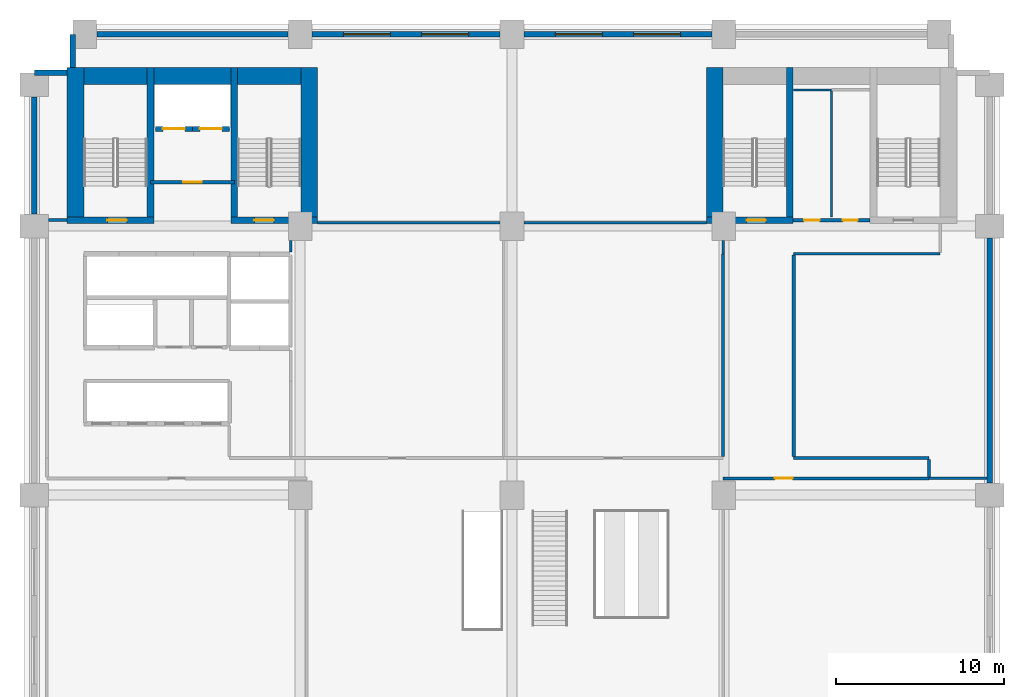
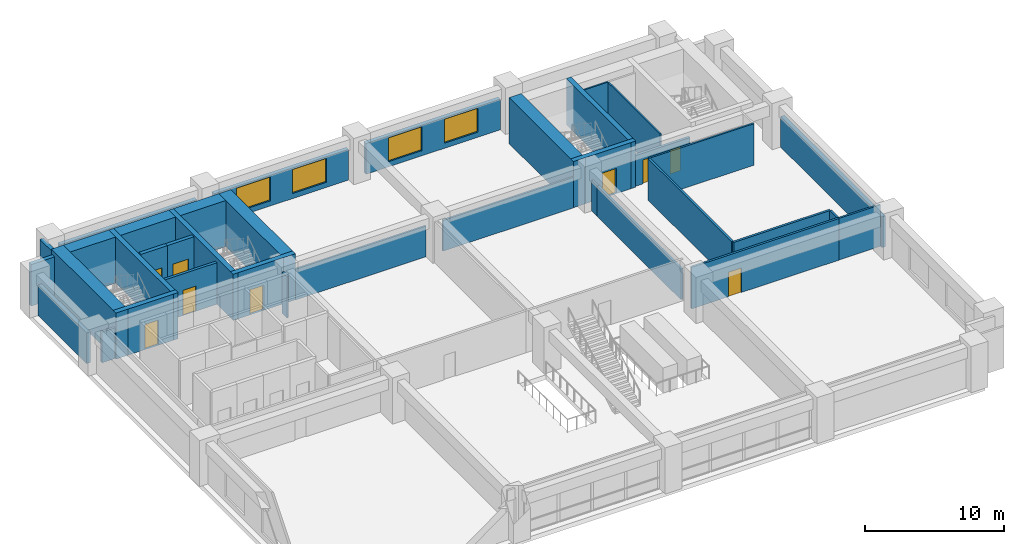
# One storey, part 6 of 11: 35 walls, 9 doors, 4 windows, 13 openings.
"""IFC4 building model written with IfcOpenShell, lengths in metres."""

from ifc_helpers import new_model, si_unit, direction, frame, frame_2d, origin, place, context, subcontext, project, spatial, rectangle, extrude, material, layer, layer_set, type_object, element, fill, save


model = new_model("IFC4")

# Units and contexts
model_context = context("Model", 3, precision=1e-05, world=origin(), true_north=direction((0.0, 1.0)))
body_context = subcontext(model_context, "Body", "Model", "MODEL_VIEW")
ifc_project = project(units=[si_unit("LENGTHUNIT", "METRE"), si_unit("AREAUNIT", "SQUARE_METRE"), si_unit("VOLUMEUNIT", "CUBIC_METRE"), si_unit("PLANEANGLEUNIT", "RADIAN"), si_unit("MASSUNIT", "GRAM", prefix="KILO")], contexts=[model_context])

# Site, building, storey
site_placement = place(None, origin())
site = spatial("IfcSite", under=ifc_project, at=site_placement, CompositionType="ELEMENT")
building_placement = place(site_placement, origin())
building = spatial("IfcBuilding", under=site, at=building_placement, Name="Sulina Concourse Tower", CompositionType="ELEMENT")
storey_placement = place(building_placement, frame((0.0, 0.0, 9.449951171875)))
storey = spatial("IfcBuildingStorey", under=building, at=storey_placement, Name="L02", CompositionType="ELEMENT", Elevation=9.449951171875)

# Wall, opening, door
ifc_material_1 = material(Name="Concrete C50/60", Category="concrete")
ifc_layer_1 = layer(ifc_material_1, 0.300048828125)
ifc_layer_set_1 = layer_set([ifc_layer_1], Name="Concrete C50/60")
wall_type_1 = type_object("IfcWallType", Name="Core Lift Hoistway Wall 300mm", PredefinedType="SOLIDWALL", material=ifc_layer_set_1)
wall_1_placement = place(storey_placement, frame((10.0, 39.780029296875, 0.0), z_axis=(0.0, 0.0, 1.0), x_axis=(-1.0, 0.0, 0.0)))
wall_1 = element("IfcWall", 1, at=wall_1_placement, inside=storey, type_object=wall_type_1, Name="L02 hoistway enclosure wall FFL-1", PredefinedType="SOLIDWALL", context=body_context, shape_type="SweptSolid", body=[
    extrude(rectangle(XDim=2.199951171875, YDim=0.300048828125, at=frame_2d((1.10009765625, 0.0))), origin(), (0.0, 0.0, 1.0), 4.050048828125),
])
opening_1_placement = place(wall_1_placement, frame((0.449951171875, 0.0, 0.0)))
opening_1 = element("IfcOpeningElement", 2, at=opening_1_placement, cuts=wall_1, Name="Opening LD-02", PredefinedType="OPENING", context=body_context, shape_type="SweptSolid", body=[
    extrude(rectangle(XDim=1.300048828125, YDim=2.25, at=frame_2d((0.64990234375, 1.125))), frame((0.0, 0.159912109375, 0.0), z_axis=(0.0, -1.0, 0.0), x_axis=(1.0, 0.0, 0.0)), (0.0, 0.0, 1.0), 0.320068359375),
])
ifc_material_2 = material(Name="Stainless steel lift landing door", Category="steel")
ifc_layer_2 = layer(ifc_material_2, 0.050048828125)
ifc_layer_set_2 = layer_set([ifc_layer_2], Name="Stainless steel lift landing door")
door_type_1 = type_object("IfcDoorType", Name="Firefighting Lift Sliding Landing Door 1300x2250", OperationType="SLIDING_TO_RIGHT", PredefinedType="DOOR", material=ifc_layer_set_2)
door_1_placement = place(opening_1_placement, origin())
door_1 = element("IfcDoor", 3, at=door_1_placement, inside=storey, type_object=door_type_1, Name="L02 lift landing sliding door FFL-1", OperationType="SLIDING_TO_LEFT", OverallHeight=2.25, OverallWidth=1.300048828125, PredefinedType="DOOR", context=body_context, shape_type="SweptSolid", body=[
    extrude(rectangle(XDim=1.300048828125, YDim=2.25, at=frame_2d((0.64990234375, 1.125))), frame((0.0, 0.02490234375, 0.0), z_axis=(0.0, -1.0, 0.0), x_axis=(1.0, 0.0, 0.0)), (0.0, 0.0, 1.0), 0.050048828125),
])
fill(opening_1, door_1)

wall_2_placement = place(storey_placement, frame((12.199951171875, 39.780029296875, 0.0), z_axis=(0.0, 0.0, 1.0), x_axis=(-1.0, 0.0, 0.0)))
wall_2 = element("IfcWall", 4, at=wall_2_placement, inside=storey, type_object=wall_type_1, Name="L02 hoistway enclosure wall FFL-2", PredefinedType="SOLIDWALL", context=body_context, shape_type="SweptSolid", body=[
    extrude(rectangle(XDim=2.199951171875, YDim=0.300048828125, at=frame_2d((1.10009765625, 0.0))), origin(), (0.0, 0.0, 1.0), 4.050048828125),
])
opening_2_placement = place(wall_2_placement, frame((0.449951171875, 0.0, 0.0)))
opening_2 = element("IfcOpeningElement", 5, at=opening_2_placement, cuts=wall_2, Name="Opening LD-02", PredefinedType="OPENING", context=body_context, shape_type="SweptSolid", body=[
    extrude(rectangle(XDim=1.300048828125, YDim=2.25, at=frame_2d((0.64990234375, 1.125))), frame((0.0, 0.159912109375, 0.0), z_axis=(0.0, -1.0, 0.0), x_axis=(1.0, 0.0, 0.0)), (0.0, 0.0, 1.0), 0.320068359375),
])
door_2_placement = place(opening_2_placement, origin())
door_2 = element("IfcDoor", 6, at=door_2_placement, inside=storey, type_object=door_type_1, Name="L02 lift landing sliding door FFL-2", OperationType="SLIDING_TO_RIGHT", OverallHeight=2.25, OverallWidth=1.300048828125, PredefinedType="DOOR", context=body_context, shape_type="SweptSolid", body=[
    extrude(rectangle(XDim=1.300048828125, YDim=2.25, at=frame_2d((0.64990234375, 1.125))), frame((0.0, 0.02490234375, 0.0), z_axis=(0.0, -1.0, 0.0), x_axis=(1.0, 0.0, 0.0)), (0.0, 0.0, 1.0), 0.050048828125),
])
fill(opening_2, door_2)

ifc_material_3 = material(Name="Gypsum board on steel stud", Category="steel")
ifc_layer_3 = layer(ifc_material_3, 0.219970703125)
ifc_layer_set_3 = layer_set([ifc_layer_3], Name="Gypsum board on steel stud")
wall_type_2 = type_object("IfcWallType", Name="Fire-Rated Lobby & Compartment Wall 220mm", PredefinedType="PARTITIONING", material=ifc_layer_set_3)
wall_3_placement = place(storey_placement, frame((7.510009765625, 36.60009765625, 0.0), z_axis=(0.0, 0.0, 1.0), x_axis=(1.0, 0.0, 0.0)))
wall_3 = element("IfcWall", 7, at=wall_3_placement, inside=storey, type_object=wall_type_2, Name="L02 firefighting lobby south fire wall", PredefinedType="PARTITIONING", context=body_context, shape_type="SweptSolid", body=[
    extrude(rectangle(XDim=4.97998046875, YDim=0.219970703125, at=frame_2d((2.489990234375, 0.0))), origin(), (0.0, 0.0, 1.0), 3.650146484375),
])
opening_3_placement = place(wall_3_placement, frame((1.93994140625, 0.0, 0.0)))
opening_3 = element("IfcOpeningElement", 8, at=opening_3_placement, cuts=wall_3, Name="Opening DR-47", PredefinedType="OPENING", context=body_context, shape_type="SweptSolid", body=[
    extrude(rectangle(XDim=1.10009765625, YDim=2.199951171875, at=frame_2d((0.550048828125, 1.10009765625))), frame((0.0, 0.119873046875, 0.0), z_axis=(0.0, -1.0, 0.0), x_axis=(1.0, 0.0, 0.0)), (0.0, 0.0, 1.0), 0.239990234375),
])
ifc_material_4 = material(Name="Galvanised steel acoustic fire leaf", Category="steel")
ifc_layer_4 = layer(ifc_material_4, 0.054931640625)
ifc_layer_set_4 = layer_set([ifc_layer_4], Name="Galvanised steel acoustic fire leaf")
door_type_2 = type_object("IfcDoorType", Name="Firefighting Lobby Fire Door 1100x2200", OperationType="NOTDEFINED", PredefinedType="DOOR", material=ifc_layer_set_4)
door_3_placement = place(opening_3_placement, origin())
door_3 = element("IfcDoor", 9, at=door_3_placement, inside=storey, type_object=door_type_2, Name="L02 firefighting lobby fire door", OperationType="SINGLE_SWING_LEFT", OverallHeight=2.199951171875, OverallWidth=1.10009765625, PredefinedType="DOOR", context=body_context, shape_type="SweptSolid", body=[
    extrude(rectangle(XDim=1.10009765625, YDim=2.199951171875, at=frame_2d((0.550048828125, 1.10009765625))), frame((0.0, 0.02490234375, 0.0), z_axis=(0.0, -1.0, 0.0), x_axis=(1.0, 0.0, 0.0)), (0.0, 0.0, 1.0), 0.050048828125),
])
fill(opening_3, door_3)

# Wall, openings, doors
wall_4_placement = place(storey_placement, frame((45.719970703125, 34.35009765625, 0.0), z_axis=(0.0, 0.0, 1.0), x_axis=(1.0, 0.0, 0.0)))
wall_4 = element("IfcWall", 10, at=wall_4_placement, inside=storey, type_object=wall_type_2, Name="L02 east core south lobby wall", PredefinedType="PARTITIONING", context=body_context, shape_type="SweptSolid", body=[
    extrude(rectangle(XDim=4.56005859375, YDim=0.219970703125, at=frame_2d((2.280029296875, 0.0))), origin(), (0.0, 0.0, 1.0), 2.695068359375),
])
opening_4_placement = place(wall_4_placement, frame((0.64990234375, 0.0, 0.0)))
opening_4 = element("IfcOpeningElement", 11, at=opening_4_placement, cuts=wall_4, Name="Opening DR-61", PredefinedType="OPENING", context=body_context, shape_type="SweptSolid", body=[
    extrude(rectangle(XDim=0.919921875, YDim=2.10009765625, at=frame_2d((0.4599609375, 1.050048828125))), frame((0.0, 0.119873046875, 0.0), z_axis=(0.0, -1.0, 0.0), x_axis=(1.0, 0.0, 0.0)), (0.0, 0.0, 1.0), 0.239990234375),
])
opening_5_placement = place(wall_4_placement, frame((2.949951171875, 0.0, 0.0)))
opening_5 = element("IfcOpeningElement", 12, at=opening_5_placement, cuts=wall_4, Name="Opening DR-38", PredefinedType="OPENING", context=body_context, shape_type="SweptSolid", body=[
    extrude(rectangle(XDim=0.8798828125, YDim=2.10009765625, at=frame_2d((0.43994140625, 1.050048828125))), frame((0.0, 0.119873046875, 0.0), z_axis=(0.0, -1.0, 0.0), x_axis=(1.0, 0.0, 0.0)), (0.0, 0.0, 1.0), 0.239990234375),
])
ifc_material_5 = material(Name="Oak-veneered fire door leaf")
ifc_layer_5 = layer(ifc_material_5, 0.050048828125)
ifc_layer_set_5 = layer_set([ifc_layer_5], Name="Oak-veneered fire door leaf")
door_type_3 = type_object("IfcDoorType", Name="Accessible WC Door 920x2100", OperationType="NOTDEFINED", PredefinedType="DOOR", material=ifc_layer_set_5)
door_4_placement = place(opening_4_placement, origin())
door_4 = element("IfcDoor", 13, at=door_4_placement, inside=storey, type_object=door_type_3, Name="L02 east core accessible wc door", OperationType="SINGLE_SWING_LEFT", OverallHeight=2.10009765625, OverallWidth=0.919921875, PredefinedType="DOOR", context=body_context, shape_type="SweptSolid", body=[
    extrude(rectangle(XDim=0.919921875, YDim=2.10009765625, at=frame_2d((0.4599609375, 1.050048828125))), frame((0.0, 0.02490234375, 0.0), z_axis=(0.0, -1.0, 0.0), x_axis=(1.0, 0.0, 0.0)), (0.0, 0.0, 1.0), 0.050048828125),
])
fill(opening_4, door_4)
ifc_material_6 = material(Name="Galvanised steel acoustic fire leaf", Category="steel")
ifc_layer_6 = layer(ifc_material_6, 0.050048828125)
ifc_layer_set_6 = layer_set([ifc_layer_6], Name="Galvanised steel acoustic fire leaf")
door_type_4 = type_object("IfcDoorType", Name="Service Riser Fire Door 880x2100", OperationType="NOTDEFINED", PredefinedType="DOOR", material=ifc_layer_set_6)
door_5_placement = place(opening_5_placement, origin())
door_5 = element("IfcDoor", 14, at=door_5_placement, inside=storey, type_object=door_type_4, Name="L02 east core store door", OperationType="SINGLE_SWING_RIGHT", OverallHeight=2.10009765625, OverallWidth=0.8798828125, PredefinedType="DOOR", context=body_context, shape_type="SweptSolid", body=[
    extrude(rectangle(XDim=0.8798828125, YDim=2.10009765625, at=frame_2d((0.43994140625, 1.050048828125))), frame((0.0, 0.02490234375, 0.0), z_axis=(0.0, -1.0, 0.0), x_axis=(1.0, 0.0, 0.0)), (0.0, 0.0, 1.0), 0.050048828125),
])
fill(opening_5, door_5)

# Walls
ifc_material_7 = material(Name="Gypsum board on steel stud", Category="steel")
ifc_layer_7 = layer(ifc_material_7, 0.14990234375)
ifc_layer_set_7 = layer_set([ifc_layer_7], Name="Gypsum board on steel stud")
wall_type_3 = type_object("IfcWallType", Name="Inter-Tenancy Acoustic Partition 150mm", PredefinedType="PARTITIONING", material=ifc_layer_set_7)
wall_5_placement = place(storey_placement, frame((53.800048828125, 19.0, 0.0), z_axis=(0.0, 0.0, 1.0), x_axis=(1.0, 0.0, 0.0)))
element("IfcWall", 15, at=wall_5_placement, inside=storey, type_object=wall_type_3, Name="L02 interior partition 007", PredefinedType="PARTITIONING", context=body_context, shape_type="SweptSolid", body=[
    extrude(rectangle(XDim=3.43994140625, YDim=0.14990234375, at=frame_2d((1.719970703125, 0.0))), origin(), (0.0, 0.0, 1.0), 3.650146484375),
])
wall_6_placement = place(storey_placement, frame((45.75, 32.35009765625, 0.0), z_axis=(0.0, 0.0, 1.0), x_axis=(1.0, 0.0, 0.0)))
element("IfcWall", 16, at=wall_6_placement, inside=storey, type_object=wall_type_3, Name="L02 interior partition 014", PredefinedType="PARTITIONING", context=body_context, shape_type="SweptSolid", body=[
    extrude(rectangle(XDim=8.699951171875, YDim=0.14990234375, at=frame_2d((4.35009765625, 0.0))), origin(), (0.0, 0.0, 1.0), 3.650146484375),
])
for number, where, z_axis, x_axis, name in (
    (17, (17.449951171875, 34.199951171875, 0.0), (0.0, 0.0, 1.0), (1.0, 0.0, 0.0), "L02 interior partition 015"),
    (18, (29.699951171875, 34.199951171875, 0.0), (0.0, 0.0, 1.0), (1.0, 0.0, 0.0), "L02 interior partition 016"),
):
    element("IfcWall", number, at=place(storey_placement, frame(where, z_axis=z_axis, x_axis=x_axis)), inside=storey, type_object=wall_type_3, Name=name, PredefinedType="PARTITIONING", context=body_context, shape_type="SweptSolid", body=[
        extrude(rectangle(XDim=10.85009765625, YDim=0.14990234375, at=frame_2d((5.425048828125, 0.0))), origin(), (0.0, 0.0, 1.0), 2.695068359375),
    ])
wall_7_placement = place(storey_placement, frame((15.85009765625, 32.469970703125, 0.0), z_axis=(0.0, 0.0, 1.0), x_axis=(0.0, 1.0, 0.0)))
element("IfcWall", 19, at=wall_7_placement, inside=storey, type_object=wall_type_3, Name="L02 interior partition 028", PredefinedType="PARTITIONING", context=body_context, shape_type="SweptSolid", body=[
    extrude(rectangle(XDim=0.679931640625, YDim=0.14990234375, at=frame_2d((0.33984375, 0.0))), origin(), (0.0, 0.0, 1.0), 3.650146484375),
])
wall_8_placement = place(storey_placement, frame((41.550048828125, 32.35009765625, 0.0), z_axis=(0.0, 0.0, 1.0), x_axis=(0.0, 1.0, 0.0)))
element("IfcWall", 20, at=wall_8_placement, inside=storey, type_object=wall_type_3, Name="L02 interior partition 033", PredefinedType="PARTITIONING", context=body_context, shape_type="SweptSolid", body=[
    extrude(rectangle(XDim=0.7998046875, YDim=0.14990234375, at=frame_2d((0.39990234375, 0.0))), origin(), (0.0, 0.0, 1.0), 2.695068359375),
])
ifc_material_8 = material(Name="Precast concrete C50/60", Category="concrete")
ifc_layer_8 = layer(ifc_material_8, 0.320068359375)
ifc_layer_set_8 = layer_set([ifc_layer_8], Name="Precast concrete C50/60")
wall_type_4 = type_object("IfcWallType", Name="Lower Precast Masonry-Frame Facade Wall 320mm", PredefinedType="SOLIDWALL", material=ifc_layer_set_8)
wall_9_placement = place(storey_placement, frame((0.60009765625, 34.719970703125, 0.0), z_axis=(0.0, 0.0, 1.0), x_axis=(0.0, 1.0, 0.0)))
element("IfcWall", 21, at=wall_9_placement, inside=storey, type_object=wall_type_4, Name="L02 exterior precast wall W3", PredefinedType="SOLIDWALL", context=body_context, shape_type="SweptSolid", body=[
    extrude(rectangle(XDim=6.9599609375, YDim=0.320068359375, at=frame_2d((3.47998046875, 0.0))), origin(), (0.0, 0.0, 1.0), 2.699951171875),
])
wall_10_placement = place(storey_placement, frame((4.320068359375, 45.39990234375, 0.0), z_axis=(0.0, 0.0, 1.0), x_axis=(1.0, 0.0, 0.0)))
element("IfcWall", 22, at=wall_10_placement, inside=storey, type_object=wall_type_4, Name="L02 exterior precast wall N1", PredefinedType="SOLIDWALL", context=body_context, shape_type="SweptSolid", body=[
    extrude(rectangle(XDim=11.35986328125, YDim=0.320068359375, at=frame_2d((5.679931640625, 0.0))), origin(), (0.0, 0.0, 1.0), 2.699951171875),
])

# Wall, openings, windows
wall_11_placement = place(storey_placement, frame((17.1201171875, 45.39990234375, 0.0), z_axis=(0.0, 0.0, 1.0), x_axis=(1.0, 0.0, 0.0)))
wall_11 = element("IfcWall", 23, at=wall_11_placement, inside=storey, type_object=wall_type_4, Name="L02 exterior precast wall N2", PredefinedType="SOLIDWALL", context=body_context, shape_type="SweptSolid", body=[
    extrude(rectangle(XDim=11.159912109375, YDim=0.320068359375, at=frame_2d((5.580078125, 0.0))), origin(), (0.0, 0.0, 1.0), 2.699951171875),
])
opening_6_placement = place(wall_11_placement, frame((1.853271484375, 0.0, 0.449951171875)))
opening_6 = element("IfcOpeningElement", 24, at=opening_6_placement, cuts=wall_11, Name="Opening WN-83", PredefinedType="OPENING", context=body_context, shape_type="SweptSolid", body=[
    extrude(rectangle(XDim=2.800048828125, YDim=2.10009765625, at=frame_2d((1.39990234375, 1.050048828125))), frame((0.0, 0.169921875, 0.0), z_axis=(0.0, -1.0, 0.0), x_axis=(1.0, 0.0, 0.0)), (0.0, 0.0, 1.0), 0.340087890625),
])
opening_7_placement = place(wall_11_placement, frame((6.506591796875, 0.0, 0.449951171875)))
opening_7 = element("IfcOpeningElement", 25, at=opening_7_placement, cuts=wall_11, Name="Opening WN-83", PredefinedType="OPENING", context=body_context, shape_type="SweptSolid", body=[
    extrude(rectangle(XDim=2.800048828125, YDim=2.10009765625, at=frame_2d((1.39990234375, 1.050048828125))), frame((0.0, 0.169921875, 0.0), z_axis=(0.0, -1.0, 0.0), x_axis=(1.0, 0.0, 0.0)), (0.0, 0.0, 1.0), 0.340087890625),
])
ifc_material_9 = material(Name="Low-E solar double glazing in bronze aluminium", Category="aluminium")
window_type = type_object("IfcWindowType", Name="Station Podium Clerestory Window 2800x2100", PartitioningType="TRIPLE_PANEL_VERTICAL", PredefinedType="WINDOW", material=ifc_material_9)
window_1_placement = place(opening_6_placement, origin())
window_1 = element("IfcWindow", 26, at=window_1_placement, inside=storey, type_object=window_type, Name="L02 punched window N2-1", OverallHeight=2.10009765625, OverallWidth=2.800048828125, PartitioningType="SINGLE_PANEL", PredefinedType="WINDOW", context=body_context, shape_type="SweptSolid", body=[
    extrude(rectangle(XDim=2.800048828125, YDim=2.10009765625, at=frame_2d((1.39990234375, 1.050048828125))), frame((0.0, 0.030029296875, 0.0), z_axis=(0.0, -1.0, 0.0), x_axis=(1.0, 0.0, 0.0)), (0.0, 0.0, 1.0), 0.06005859375),
])
fill(opening_6, window_1)
window_2_placement = place(opening_7_placement, origin())
window_2 = element("IfcWindow", 27, at=window_2_placement, inside=storey, type_object=window_type, Name="L02 punched window N2-2", OverallHeight=2.10009765625, OverallWidth=2.800048828125, PartitioningType="SINGLE_PANEL", PredefinedType="WINDOW", context=body_context, shape_type="SweptSolid", body=[
    extrude(rectangle(XDim=2.800048828125, YDim=2.10009765625, at=frame_2d((1.39990234375, 1.050048828125))), frame((0.0, 0.030029296875, 0.0), z_axis=(0.0, -1.0, 0.0), x_axis=(1.0, 0.0, 0.0)), (0.0, 0.0, 1.0), 0.06005859375),
])
fill(opening_7, window_2)

wall_12_placement = place(storey_placement, frame((29.719970703125, 45.39990234375, 0.0), z_axis=(0.0, 0.0, 1.0), x_axis=(1.0, 0.0, 0.0)))
wall_12 = element("IfcWall", 28, at=wall_12_placement, inside=storey, type_object=wall_type_4, Name="L02 exterior precast wall N3", PredefinedType="SOLIDWALL", context=body_context, shape_type="SweptSolid", body=[
    extrude(rectangle(XDim=11.159912109375, YDim=0.320068359375, at=frame_2d((5.580078125, 0.0))), origin(), (0.0, 0.0, 1.0), 2.699951171875),
])
opening_8_placement = place(wall_12_placement, frame((1.853271484375, 0.0, 0.449951171875)))
opening_8 = element("IfcOpeningElement", 29, at=opening_8_placement, cuts=wall_12, Name="Opening WN-83", PredefinedType="OPENING", context=body_context, shape_type="SweptSolid", body=[
    extrude(rectangle(XDim=2.800048828125, YDim=2.10009765625, at=frame_2d((1.39990234375, 1.050048828125))), frame((0.0, 0.169921875, 0.0), z_axis=(0.0, -1.0, 0.0), x_axis=(1.0, 0.0, 0.0)), (0.0, 0.0, 1.0), 0.340087890625),
])
opening_9_placement = place(wall_12_placement, frame((6.506591796875, 0.0, 0.449951171875)))
opening_9 = element("IfcOpeningElement", 30, at=opening_9_placement, cuts=wall_12, Name="Opening WN-83", PredefinedType="OPENING", context=body_context, shape_type="SweptSolid", body=[
    extrude(rectangle(XDim=2.800048828125, YDim=2.10009765625, at=frame_2d((1.39990234375, 1.050048828125))), frame((0.0, 0.169921875, 0.0), z_axis=(0.0, -1.0, 0.0), x_axis=(1.0, 0.0, 0.0)), (0.0, 0.0, 1.0), 0.340087890625),
])
window_3_placement = place(opening_8_placement, origin())
window_3 = element("IfcWindow", 31, at=window_3_placement, inside=storey, type_object=window_type, Name="L02 punched window N3-1", OverallHeight=2.10009765625, OverallWidth=2.800048828125, PartitioningType="SINGLE_PANEL", PredefinedType="WINDOW", context=body_context, shape_type="SweptSolid", body=[
    extrude(rectangle(XDim=2.800048828125, YDim=2.10009765625, at=frame_2d((1.39990234375, 1.050048828125))), frame((0.0, 0.030029296875, 0.0), z_axis=(0.0, -1.0, 0.0), x_axis=(1.0, 0.0, 0.0)), (0.0, 0.0, 1.0), 0.06005859375),
])
fill(opening_8, window_3)
window_4_placement = place(opening_9_placement, origin())
window_4 = element("IfcWindow", 32, at=window_4_placement, inside=storey, type_object=window_type, Name="L02 punched window N3-2", OverallHeight=2.10009765625, OverallWidth=2.800048828125, PartitioningType="SINGLE_PANEL", PredefinedType="WINDOW", context=body_context, shape_type="SweptSolid", body=[
    extrude(rectangle(XDim=2.800048828125, YDim=2.10009765625, at=frame_2d((1.39990234375, 1.050048828125))), frame((0.0, 0.030029296875, 0.0), z_axis=(0.0, -1.0, 0.0), x_axis=(1.0, 0.0, 0.0)), (0.0, 0.0, 1.0), 0.06005859375),
])
fill(opening_9, window_4)

# Walls
wall_13_placement = place(storey_placement, frame((57.39990234375, 33.280029296875, 0.0), z_axis=(0.0, 0.0, 1.0), x_axis=(0.0, -1.0, 0.0)))
element("IfcWall", 33, at=wall_13_placement, inside=storey, type_object=wall_type_4, Name="L02 exterior precast wall E2", PredefinedType="SOLIDWALL", context=body_context, shape_type="SweptSolid", body=[
    extrude(rectangle(XDim=14.56005859375, YDim=0.320068359375, at=frame_2d((7.280029296875, 0.0))), origin(), (0.0, 0.0, 1.0), 2.699951171875),
])
wall_14_placement = place(storey_placement, frame((0.60009765625, 43.1201171875, 0.0), z_axis=(0.0, 0.0, 1.0), x_axis=(1.0, 0.0, 0.0)))
element("IfcWall", 34, at=wall_14_placement, inside=storey, type_object=wall_type_4, Name="L02 exterior precast wall CNW1", PredefinedType="SOLIDWALL", context=body_context, shape_type="SweptSolid", body=[
    extrude(rectangle(XDim=1.94482421875, YDim=0.320068359375, at=frame_2d((0.972412109375, 0.0))), origin(), (0.0, 0.0, 1.0), 3.650146484375),
])
wall_15_placement = place(storey_placement, frame((2.8798828125, 43.43505859375, 0.0), z_axis=(0.0, 0.0, 1.0), x_axis=(0.0, 1.0, 0.0)))
element("IfcWall", 35, at=wall_15_placement, inside=storey, type_object=wall_type_4, Name="L02 exterior precast wall CNW2", PredefinedType="SOLIDWALL", context=body_context, shape_type="SweptSolid", body=[
    extrude(rectangle(XDim=1.96484375, YDim=0.320068359375, at=frame_2d((0.982421875, 0.0))), origin(), (0.0, 0.0, 1.0), 3.650146484375),
])

# Wall, opening, door
ifc_material_10 = material(Name="Gypsum board on steel stud", Category="steel")
ifc_layer_9 = layer(ifc_material_10, 0.179931640625)
ifc_layer_set_9 = layer_set([ifc_layer_9], Name="Gypsum board on steel stud")
wall_type_5 = type_object("IfcWallType", Name="Protected Corridor & Riser Partition 180mm", PredefinedType="PARTITIONING", material=ifc_layer_set_9)
wall_16_placement = place(storey_placement, frame((41.550048828125, 19.0, 0.0), z_axis=(0.0, 0.0, 1.0), x_axis=(1.0, 0.0, 0.0)))
wall_16 = element("IfcWall", 36, at=wall_16_placement, inside=storey, type_object=wall_type_5, Name="L02 interior partition 006", PredefinedType="PARTITIONING", context=body_context, shape_type="SweptSolid", body=[
    extrude(rectangle(XDim=12.25, YDim=0.179931640625, at=frame_2d((6.125, 0.0))), origin(), (0.0, 0.0, 1.0), 3.650146484375),
])
opening_10_placement = place(wall_16_placement, frame((3.080078125, 0.0, 0.0)))
opening_10 = element("IfcOpeningElement", 37, at=opening_10_placement, cuts=wall_16, Name="Opening DR-37", PredefinedType="OPENING", context=body_context, shape_type="SweptSolid", body=[
    extrude(rectangle(XDim=1.050048828125, YDim=2.14990234375, at=frame_2d((0.52490234375, 1.074951171875))), frame((0.0, 0.099853515625, 0.0), z_axis=(0.0, -1.0, 0.0), x_axis=(1.0, 0.0, 0.0)), (0.0, 0.0, 1.0), 0.199951171875),
])
ifc_material_11 = material(Name="Oak-veneered fire door leaf")
ifc_layer_10 = layer(ifc_material_11, 0.050048828125)
ifc_layer_set_10 = layer_set([ifc_layer_10], Name="Oak-veneered fire door leaf")
door_type_5 = type_object("IfcDoorType", Name="Tenant Suite Entrance Fire Door 1050x2150", OperationType="NOTDEFINED", PredefinedType="DOOR", material=ifc_layer_set_10)
door_6_placement = place(opening_10_placement, origin())
door_6 = element("IfcDoor", 38, at=door_6_placement, inside=storey, type_object=door_type_5, Name="L02 interior door L02-OFF-ST", OperationType="SINGLE_SWING_RIGHT", OverallHeight=2.14990234375, OverallWidth=1.050048828125, PredefinedType="DOOR", context=body_context, shape_type="SweptSolid", body=[
    extrude(rectangle(XDim=1.050048828125, YDim=2.14990234375, at=frame_2d((0.52490234375, 1.074951171875))), frame((0.0, 0.02490234375, 0.0), z_axis=(0.0, -1.0, 0.0), x_axis=(1.0, 0.0, 0.0)), (0.0, 0.0, 1.0), 0.050048828125),
])
fill(opening_10, door_6)

# Walls
wall_17_placement = place(storey_placement, frame((45.75, 20.199951171875, 0.0), z_axis=(0.0, 0.0, 1.0), x_axis=(1.0, 0.0, 0.0)))
element("IfcWall", 39, at=wall_17_placement, inside=storey, type_object=wall_type_5, Name="L02 interior partition 011", PredefinedType="PARTITIONING", context=body_context, shape_type="SweptSolid", body=[
    extrude(rectangle(XDim=8.050048828125, YDim=0.179931640625, at=frame_2d((4.02490234375, 0.0))), origin(), (0.0, 0.0, 1.0), 3.650146484375),
])
wall_18_placement = place(storey_placement, frame((1.449951171875, 34.35009765625, 0.0), z_axis=(0.0, 0.0, 1.0), x_axis=(1.0, 0.0, 0.0)))
element("IfcWall", 40, at=wall_18_placement, inside=storey, type_object=wall_type_5, Name="L02 interior partition 017", PredefinedType="PARTITIONING", context=body_context, shape_type="SweptSolid", body=[
    extrude(rectangle(XDim=1.10009765625, YDim=0.179931640625, at=frame_2d((0.550048828125, 0.0))), origin(), (0.0, 0.0, 1.0), 2.695068359375),
])
wall_19_placement = place(storey_placement, frame((41.550048828125, 20.2900390625, 0.0), z_axis=(0.0, 0.0, 1.0), x_axis=(0.0, 1.0, 0.0)))
element("IfcWall", 41, at=wall_19_placement, inside=storey, type_object=wall_type_5, Name="L02 interior partition 032", PredefinedType="PARTITIONING", context=body_context, shape_type="SweptSolid", body=[
    extrude(rectangle(XDim=12.06005859375, YDim=0.179931640625, at=frame_2d((6.030029296875, 0.0))), origin(), (0.0, 0.0, 1.0), 2.695068359375),
])
wall_20_placement = place(storey_placement, frame((45.75, 20.2900390625, 0.0), z_axis=(0.0, 0.0, 1.0), x_axis=(0.0, 1.0, 0.0)))
element("IfcWall", 42, at=wall_20_placement, inside=storey, type_object=wall_type_5, Name="L02 interior partition 034", PredefinedType="PARTITIONING", context=body_context, shape_type="SweptSolid", body=[
    extrude(rectangle(XDim=11.98486328125, YDim=0.179931640625, at=frame_2d((5.992431640625, 0.0))), origin(), (0.0, 0.0, 1.0), 3.650146484375),
])
wall_21_placement = place(storey_placement, frame((53.800048828125, 19.090087890625, 0.0), z_axis=(0.0, 0.0, 1.0), x_axis=(0.0, 1.0, 0.0)))
element("IfcWall", 43, at=wall_21_placement, inside=storey, type_object=wall_type_5, Name="L02 interior partition 036", PredefinedType="PARTITIONING", context=body_context, shape_type="SweptSolid", body=[
    extrude(rectangle(XDim=1.02001953125, YDim=0.179931640625, at=frame_2d((0.510009765625, 0.0))), origin(), (0.0, 0.0, 1.0), 3.650146484375),
])

# Wall, opening, door
ifc_material_12 = material(Name="Concrete C60/75", Category="concrete")
ifc_layer_11 = layer(ifc_material_12, 0.39990234375)
ifc_layer_set_11 = layer_set([ifc_layer_11], Name="Concrete C60/75")
wall_type_6 = type_object("IfcWallType", Name="Protected Stair Core Shear Wall 400mm", PredefinedType="SHEAR", material=ifc_layer_set_11)
wall_22_placement = place(storey_placement, frame((2.550048828125, 34.35009765625, 0.0), z_axis=(0.0, 0.0, 1.0), x_axis=(1.0, 0.0, 0.0)))
wall_22 = element("IfcWall", 44, at=wall_22_placement, inside=storey, type_object=wall_type_6, Name="L02 west core shear wall CW-WS1", PredefinedType="SHEAR", context=body_context, shape_type="SweptSolid", body=[
    extrude(rectangle(XDim=5.159912109375, YDim=0.39990234375, at=frame_2d((2.580078125, 0.0))), origin(), (0.0, 0.0, 1.0), 4.050048828125),
])
opening_11_placement = place(wall_22_placement, frame((2.39990234375, 0.0, 0.0)))
opening_11 = element("IfcOpeningElement", 45, at=opening_11_placement, cuts=wall_22, Name="Opening DR-60", PredefinedType="OPENING", context=body_context, shape_type="SweptSolid", body=[
    extrude(rectangle(XDim=1.14990234375, YDim=2.199951171875, at=frame_2d((0.574951171875, 1.10009765625))), frame((0.0, 0.2099609375, 0.0), z_axis=(0.0, -1.0, 0.0), x_axis=(1.0, 0.0, 0.0)), (0.0, 0.0, 1.0), 0.419921875),
])
ifc_material_13 = material(Name="Galvanised steel acoustic fire leaf", Category="steel")
ifc_layer_12 = layer(ifc_material_13, 0.054931640625)
ifc_layer_set_12 = layer_set([ifc_layer_12], Name="Galvanised steel acoustic fire leaf")
door_type_6 = type_object("IfcDoorType", Name="Protected Exit Stair Fire Door 1150x2200", OperationType="NOTDEFINED", PredefinedType="DOOR", material=ifc_layer_set_12)
door_7_placement = place(opening_11_placement, origin())
door_7 = element("IfcDoor", 46, at=door_7_placement, inside=storey, type_object=door_type_6, Name="L02 stair ST-1 lobby fire door", OperationType="SINGLE_SWING_LEFT", OverallHeight=2.199951171875, OverallWidth=1.14990234375, PredefinedType="DOOR", context=body_context, shape_type="SweptSolid", body=[
    extrude(rectangle(XDim=1.14990234375, YDim=2.199951171875, at=frame_2d((0.574951171875, 1.10009765625))), frame((0.0, 0.02490234375, 0.0), z_axis=(0.0, -1.0, 0.0), x_axis=(1.0, 0.0, 0.0)), (0.0, 0.0, 1.0), 0.050048828125),
])
fill(opening_11, door_7)

wall_23_placement = place(storey_placement, frame((12.2900390625, 34.35009765625, 0.0), z_axis=(0.0, 0.0, 1.0), x_axis=(1.0, 0.0, 0.0)))
wall_23 = element("IfcWall", 47, at=wall_23_placement, inside=storey, type_object=wall_type_6, Name="L02 west core shear wall CW-WS2", PredefinedType="SHEAR", context=body_context, shape_type="SweptSolid", body=[
    extrude(rectangle(XDim=5.159912109375, YDim=0.39990234375, at=frame_2d((2.580078125, 0.0))), origin(), (0.0, 0.0, 1.0), 4.050048828125),
])
opening_12_placement = place(wall_23_placement, frame((1.39990234375, 0.0, 0.0)))
opening_12 = element("IfcOpeningElement", 48, at=opening_12_placement, cuts=wall_23, Name="Opening DR-60", PredefinedType="OPENING", context=body_context, shape_type="SweptSolid", body=[
    extrude(rectangle(XDim=1.14990234375, YDim=2.199951171875, at=frame_2d((0.574951171875, 1.10009765625))), frame((0.0, 0.2099609375, 0.0), z_axis=(0.0, -1.0, 0.0), x_axis=(1.0, 0.0, 0.0)), (0.0, 0.0, 1.0), 0.419921875),
])
door_8_placement = place(opening_12_placement, origin())
door_8 = element("IfcDoor", 49, at=door_8_placement, inside=storey, type_object=door_type_6, Name="L02 stair ST-2 lobby fire door", OperationType="SINGLE_SWING_RIGHT", OverallHeight=2.199951171875, OverallWidth=1.14990234375, PredefinedType="DOOR", context=body_context, shape_type="SweptSolid", body=[
    extrude(rectangle(XDim=1.14990234375, YDim=2.199951171875, at=frame_2d((0.574951171875, 1.10009765625))), frame((0.0, 0.02490234375, 0.0), z_axis=(0.0, -1.0, 0.0), x_axis=(1.0, 0.0, 0.0)), (0.0, 0.0, 1.0), 0.050048828125),
])
fill(opening_12, door_8)

# Walls
for number, where, z_axis, x_axis, name in (
    (50, (7.510009765625, 34.14990234375, 0.0), (0.0, 0.0, 1.0), (0.0, 1.0, 0.0), "L02 west core shear wall SW-ST1"),
    (51, (12.489990234375, 34.14990234375, 0.0), (0.0, 0.0, 1.0), (0.0, 1.0, 0.0), "L02 west core shear wall SW-ST2"),
):
    element("IfcWall", number, at=place(storey_placement, frame(where, z_axis=z_axis, x_axis=x_axis)), inside=storey, type_object=wall_type_6, Name=name, PredefinedType="SHEAR", context=body_context, shape_type="SweptSolid", body=[
        extrude(rectangle(XDim=9.280029296875, YDim=0.39990234375, at=frame_2d((4.64013671875, 0.0))), origin(), (0.0, 0.0, 1.0), 4.050048828125),
    ])

# Wall, opening, door
wall_24_placement = place(storey_placement, frame((40.550048828125, 34.35009765625, 0.0), z_axis=(0.0, 0.0, 1.0), x_axis=(1.0, 0.0, 0.0)))
wall_24 = element("IfcWall", 52, at=wall_24_placement, inside=storey, type_object=wall_type_6, Name="L02 east core shear wall CW-ES1", PredefinedType="SHEAR", context=body_context, shape_type="SweptSolid", body=[
    extrude(rectangle(XDim=5.159912109375, YDim=0.39990234375, at=frame_2d((2.580078125, 0.0))), origin(), (0.0, 0.0, 1.0), 4.050048828125),
])
opening_13_placement = place(wall_24_placement, frame((2.39990234375, 0.0, 0.0)))
opening_13 = element("IfcOpeningElement", 53, at=opening_13_placement, cuts=wall_24, Name="Opening DR-60", PredefinedType="OPENING", context=body_context, shape_type="SweptSolid", body=[
    extrude(rectangle(XDim=1.14990234375, YDim=2.199951171875, at=frame_2d((0.574951171875, 1.10009765625))), frame((0.0, 0.2099609375, 0.0), z_axis=(0.0, -1.0, 0.0), x_axis=(1.0, 0.0, 0.0)), (0.0, 0.0, 1.0), 0.419921875),
])
door_9_placement = place(opening_13_placement, origin())
door_9 = element("IfcDoor", 54, at=door_9_placement, inside=storey, type_object=door_type_6, Name="L02 stair ST-3 south lobby fire door", OperationType="SINGLE_SWING_RIGHT", OverallHeight=2.199951171875, OverallWidth=1.14990234375, PredefinedType="DOOR", context=body_context, shape_type="SweptSolid", body=[
    extrude(rectangle(XDim=1.14990234375, YDim=2.199951171875, at=frame_2d((0.574951171875, 1.10009765625))), frame((0.0, 0.02490234375, 0.0), z_axis=(0.0, -1.0, 0.0), x_axis=(1.0, 0.0, 0.0)), (0.0, 0.0, 1.0), 0.050048828125),
])
fill(opening_13, door_9)

# Walls
wall_25_placement = place(storey_placement, frame((45.510009765625, 34.14990234375, 0.0), z_axis=(0.0, 0.0, 1.0), x_axis=(0.0, 1.0, 0.0)))
element("IfcWall", 55, at=wall_25_placement, inside=storey, type_object=wall_type_6, Name="L02 east core shear wall SW-ST3", PredefinedType="SHEAR", context=body_context, shape_type="SweptSolid", body=[
    extrude(rectangle(XDim=9.280029296875, YDim=0.39990234375, at=frame_2d((4.64013671875, 0.0))), origin(), (0.0, 0.0, 1.0), 4.050048828125),
])
ifc_material_14 = material(Name="Concrete C80/95", Category="concrete")
ifc_layer_13 = layer(ifc_material_14, 1.0)
ifc_layer_set_13 = layer_set([ifc_layer_13], Name="Concrete C80/95")
wall_type_7 = type_object("IfcWallType", Name="Rear Core Shear Wall 1000mm", PredefinedType="SHEAR", material=ifc_layer_set_13)
wall_26_placement = place(storey_placement, frame((2.550048828125, 42.929931640625, 0.0), z_axis=(0.0, 0.0, 1.0), x_axis=(1.0, 0.0, 0.0)))
element("IfcWall", 56, at=wall_26_placement, inside=storey, type_object=wall_type_7, Name="L02 west core shear wall CW-WN", PredefinedType="SHEAR", context=body_context, shape_type="SweptSolid", body=[
    extrude(rectangle(XDim=14.89990234375, YDim=1.0, at=frame_2d((7.449951171875, 0.0))), origin(), (0.0, 0.0, 1.0), 4.050048828125),
])
for number, where, z_axis, x_axis, name in (
    (57, (3.050048828125, 34.14990234375, 0.0), (0.0, 0.0, 1.0), (0.0, 1.0, 0.0), "L02 west core shear wall CW-WW"),
    (58, (16.949951171875, 34.14990234375, 0.0), (0.0, 0.0, 1.0), (0.0, 1.0, 0.0), "L02 west core shear wall CW-WE"),
    (59, (41.050048828125, 34.14990234375, 0.0), (0.0, 0.0, 1.0), (0.0, 1.0, 0.0), "L02 east core shear wall CW-EW"),
):
    element("IfcWall", number, at=place(storey_placement, frame(where, z_axis=z_axis, x_axis=x_axis)), inside=storey, type_object=wall_type_7, Name=name, PredefinedType="SHEAR", context=body_context, shape_type="SweptSolid", body=[
        extrude(rectangle(XDim=9.280029296875, YDim=1.0, at=frame_2d((4.64013671875, 0.0))), origin(), (0.0, 0.0, 1.0), 4.050048828125),
    ])
ifc_material_15 = material(Name="Gypsum board on steel stud", Category="steel")
ifc_layer_14 = layer(ifc_material_15, 0.125)
ifc_layer_set_14 = layer_set([ifc_layer_14], Name="Gypsum board on steel stud")
wall_type_8 = type_object("IfcWallType", Name="Wet-Area Moisture-Resistant Partition 125mm", PredefinedType="PARTITIONING", material=ifc_layer_set_14)
wall_27_placement = place(storey_placement, frame((45.75, 42.10009765625, 0.0), z_axis=(0.0, 0.0, 1.0), x_axis=(1.0, 0.0, 0.0)))
element("IfcWall", 60, at=wall_27_placement, inside=storey, type_object=wall_type_8, Name="L02 interior partition 018", PredefinedType="PARTITIONING", context=body_context, shape_type="SweptSolid", body=[
    extrude(rectangle(XDim=2.25, YDim=0.125, at=frame_2d((1.125, 0.0))), origin(), (0.0, 0.0, 1.0), 3.650146484375),
])
wall_28_placement = place(storey_placement, frame((48.0, 34.550048828125, 0.0), z_axis=(0.0, 0.0, 1.0), x_axis=(0.0, 1.0, 0.0)))
element("IfcWall", 61, at=wall_28_placement, inside=storey, type_object=wall_type_8, Name="L02 interior partition 035", PredefinedType="PARTITIONING", context=body_context, shape_type="SweptSolid", body=[
    extrude(rectangle(XDim=7.474853515625, YDim=0.125, at=frame_2d((3.7373046875, 0.0))), origin(), (0.0, 0.0, 1.0), 3.650146484375),
])

save(model, "model.ifc")
